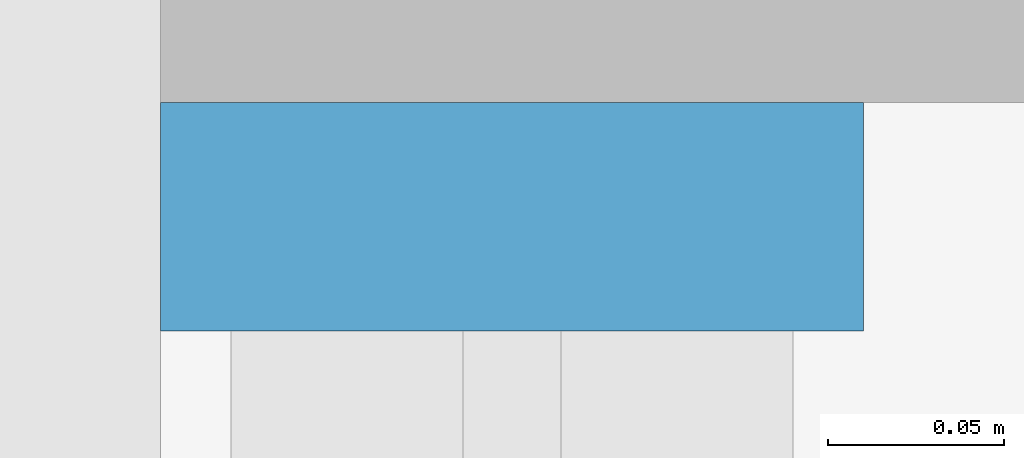
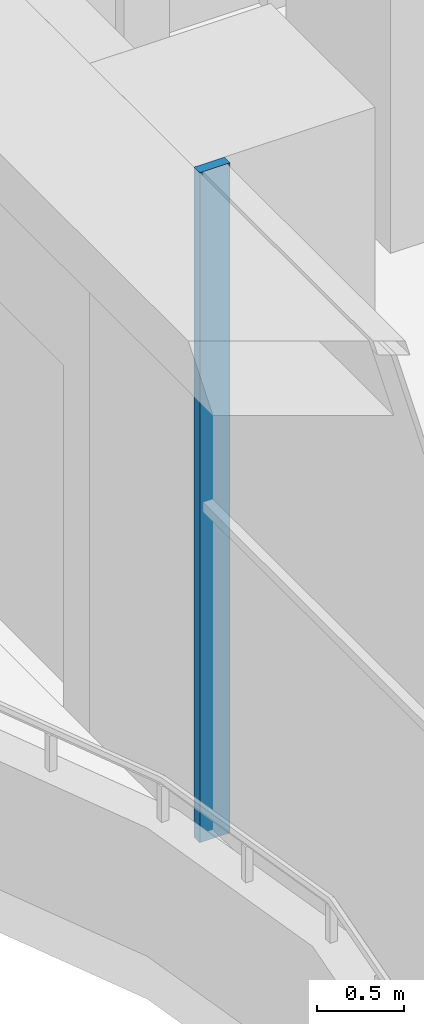
# One storey, part 5 of 14: 1 member, 1 element without a shape of its own.
"""IFC4 building model written with IfcOpenShell, lengths in metres."""

from ifc_helpers import new_model, si_unit, direction, frame, origin, origin_2d, place, context, subcontext, project, spatial, rectangle, extrude, material, material_profile, profile_set, type_object, element, aggregate, save


model = new_model("IFC4")

# Units and contexts
model_context = context("Model", 3, precision=1e-05, world=origin(), true_north=direction((0.0, 1.0)))
body_context = subcontext(model_context, "Body", "Model", "MODEL_VIEW")
ifc_project = project(units=[si_unit("LENGTHUNIT", "METRE"), si_unit("AREAUNIT", "SQUARE_METRE"), si_unit("VOLUMEUNIT", "CUBIC_METRE"), si_unit("PLANEANGLEUNIT", "RADIAN"), si_unit("MASSUNIT", "GRAM", prefix="KILO")], contexts=[model_context])

# Site, building, storey
site_placement = place(None, origin())
site = spatial("IfcSite", under=ifc_project, at=site_placement, CompositionType="ELEMENT")
building_placement = place(site_placement, origin())
building = spatial("IfcBuilding", under=site, at=building_placement, Name="Orbiselva Terraces", CompositionType="ELEMENT")
storey_placement = place(building_placement, frame((0.0, 0.0, 120.0)))
storey = spatial("IfcBuildingStorey", under=building, at=storey_placement, Name="L30", CompositionType="ELEMENT", Elevation=120.0)

# Curtain wall, member
ifc_material_1 = material(Name="Clear low-e glazing in aluminium frame", Category="aluminium")
curtain_wall_type = type_object("IfcCurtainWallType", Name="ENV-CW-SKY", PredefinedType="NOTDEFINED", material=ifc_material_1)
curtain_wall_placement = place(storey_placement, origin())
curtain_wall = element("IfcCurtainWall", 1, at=curtain_wall_placement, inside=storey, type_object=curtain_wall_type, Name="Curtain wall L30 W", PredefinedType="NOTDEFINED")
ifc_material_2 = material(Name="Anodised aluminium", Category="aluminium")
ifc_material_profile = material_profile(ifc_material_2, rectangle(XDim=0.2, YDim=0.065, at=origin_2d()), Name="AL 65x200")
ifc_profile_set = profile_set([ifc_material_profile], Name="Anodised aluminium")
member_type = type_object("IfcMemberType", Name="ENV-CW-SKY-MULLION-65x200", PredefinedType="MULLION", material=ifc_profile_set)
member_placement = place(storey_placement, frame((-22.4, 12.8675, 0.0), z_axis=(0.0, 0.0, 1.0), x_axis=(1.0, 0.0, 0.0)))
member = element("IfcMember", 2, at=member_placement, type_object=member_type, Name="CW3 mullion 1", PredefinedType="MULLION", context=body_context, shape_type="SweptSolid", body=[
    extrude(rectangle(XDim=0.2, YDim=0.065, at=origin_2d()), origin(), (0.0, 0.0, 1.0), 4.7),
])
aggregate(curtain_wall, [member])

save(model, "model.ifc")
